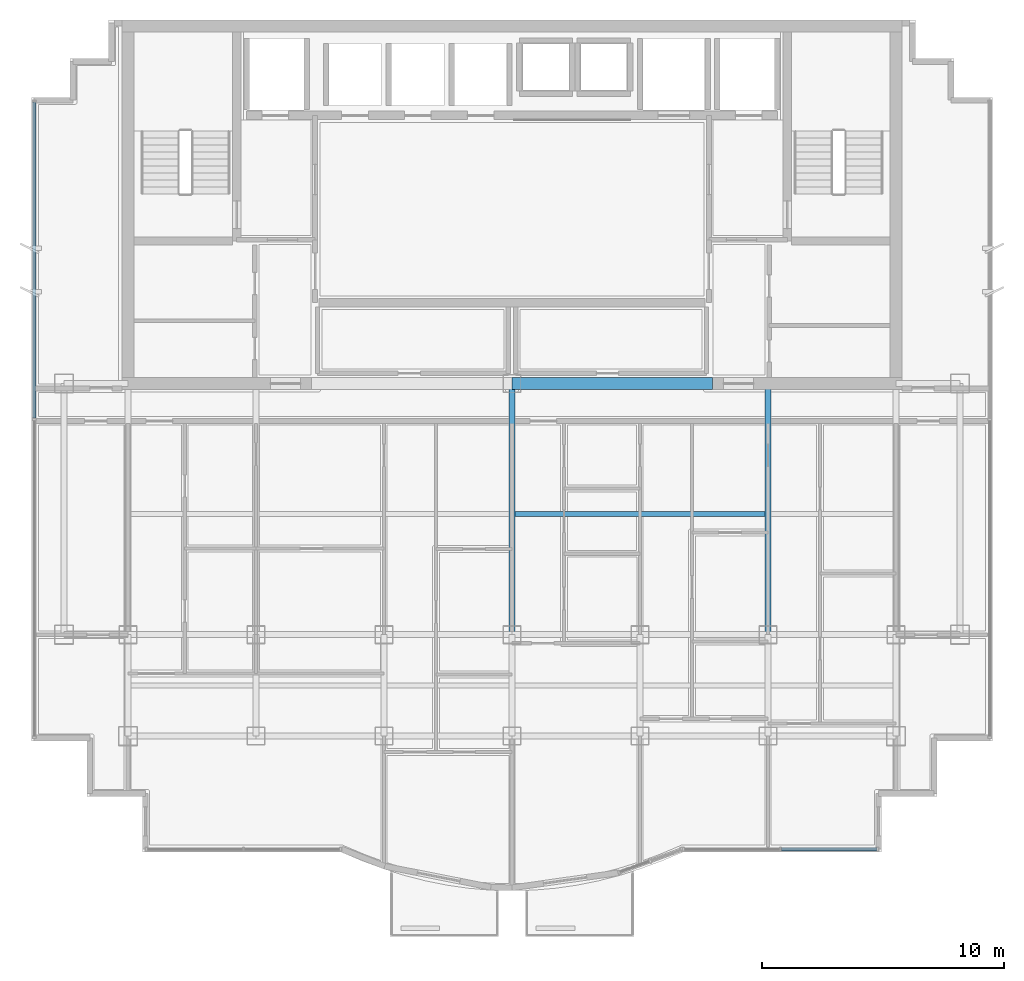
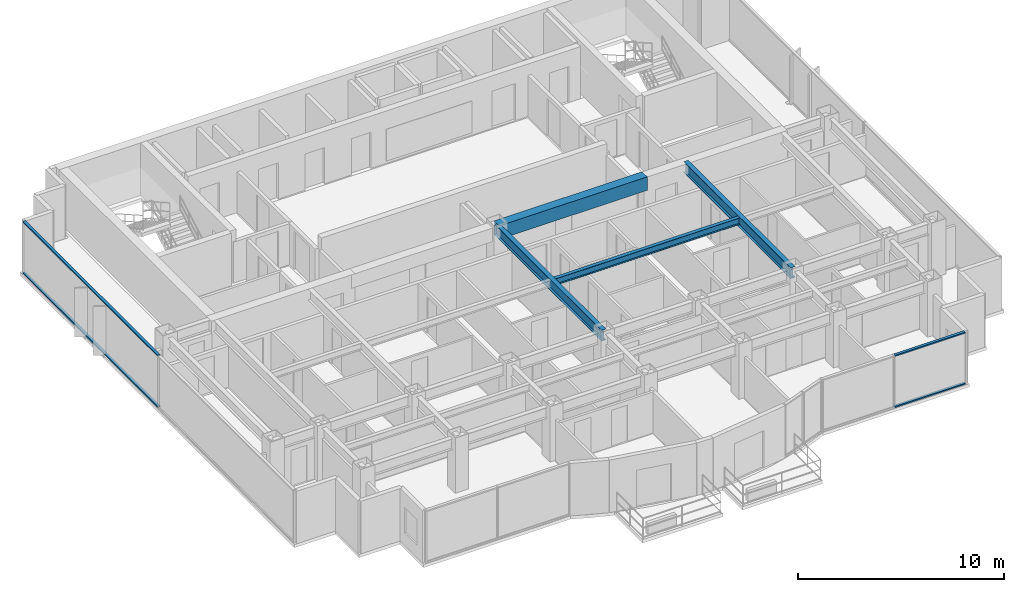
# One storey, part 3 of 12: 4 beams, 4 members, 2 elements without a shape of their own.
"""IFC4 building model written with IfcOpenShell, lengths in metres."""

from ifc_helpers import new_model, si_unit, direction, frame, origin, origin_2d, place, context, subcontext, project, spatial, rectangle, i_section, extrude, source, transform, mapped, material, layer, layer_set, material_profile, profile_set, type_object, element, aggregate, save


model = new_model("IFC4")

# Units and contexts
model_context = context("Model", 3, precision=1e-05, world=origin(), true_north=direction((0.0, 1.0)))
body_context = subcontext(model_context, "Body", "Model", "MODEL_VIEW")
ifc_project = project(units=[si_unit("LENGTHUNIT", "METRE"), si_unit("AREAUNIT", "SQUARE_METRE"), si_unit("VOLUMEUNIT", "CUBIC_METRE"), si_unit("PLANEANGLEUNIT", "RADIAN"), si_unit("MASSUNIT", "GRAM", prefix="KILO")], contexts=[model_context])

# Site, building, storey
site_placement = place(None, origin())
site = spatial("IfcSite", under=ifc_project, at=site_placement, CompositionType="ELEMENT")
building_placement = place(site_placement, origin())
building = spatial("IfcBuilding", under=site, at=building_placement, Name="Qianlan Lanfeng Residences", CompositionType="ELEMENT")
storey_placement = place(building_placement, frame((0.0, 0.0, 216.5)))
storey = spatial("IfcBuildingStorey", under=building, at=storey_placement, Name="L59", CompositionType="ELEMENT", Elevation=216.5)

# Beams
ifc_material_1 = material(Name="Steel SN490B", Category="steel")
ifc_material_profile_1 = material_profile(ifc_material_1, i_section(OverallWidth=0.25, OverallDepth=0.64990234375, WebThickness=0.012939453125, FlangeThickness=0.02197265625, at=origin_2d()), Name="H 650x250x13x22")
ifc_profile_set_1 = profile_set([ifc_material_profile_1], Name="Steel SN490B")
beam_type_1 = type_object("IfcBeamType", Name="G-650", PredefinedType="BEAM", material=ifc_profile_set_1)
for number, where, z_axis, x_axis, name in (
    (1, (26.5, 14.800048828125, 2.784912109375), (0.0, 1.0, 0.0), (-1.0, 0.0, 0.0), "Structural beam G-650"),
    (2, (37.10009765625, 14.800048828125, 2.784912109375), (0.0, 1.0, 0.0), (-1.0, 0.0, 0.0), "Structural beam G-650"),
):
    element("IfcBeam", number, at=place(storey_placement, frame(where, z_axis=z_axis, x_axis=x_axis)), inside=storey, type_object=beam_type_1, Name=name, PredefinedType="BEAM", context=body_context, shape_type="SweptSolid", body=[
        extrude(i_section(OverallWidth=0.25, OverallDepth=0.64990234375, WebThickness=0.012939453125, FlangeThickness=0.02197265625, at=origin_2d()), origin(), (0.0, 0.0, 1.0), 10.39990234375),
    ])
ifc_material_profile_2 = material_profile(ifc_material_1, i_section(OverallWidth=0.199951171875, OverallDepth=0.39990234375, WebThickness=0.008056640625, FlangeThickness=0.012939453125, at=origin_2d()), Name="H 400x200x8x13")
ifc_profile_set_2 = profile_set([ifc_material_profile_2], Name="Steel SN490B")
beam_type_2 = type_object("IfcBeamType", Name="J-400", PredefinedType="JOIST", material=ifc_profile_set_2)
beam_1_placement = place(storey_placement, frame((26.625, 19.800048828125, 2.909912109375), z_axis=(1.0, 0.0, 0.0), x_axis=(0.0, 1.0, 0.0)))
element("IfcBeam", 3, at=beam_1_placement, inside=storey, type_object=beam_type_2, Name="Structural beam J-400", PredefinedType="JOIST", context=body_context, shape_type="SweptSolid", body=[
    extrude(i_section(OverallWidth=0.199951171875, OverallDepth=0.39990234375, WebThickness=0.008056640625, FlangeThickness=0.012939453125, at=origin_2d()), origin(), (0.0, 0.0, 1.0), 10.35009765625),
])
ifc_material_2 = material(Name="Concrete C49", Category="concrete")
ifc_material_profile_3 = material_profile(ifc_material_2, rectangle(XDim=0.5, YDim=0.800048828125, at=origin_2d()), Name="RC 500x800")
ifc_profile_set_3 = profile_set([ifc_material_profile_3], Name="Concrete C49")
beam_type_3 = type_object("IfcBeamType", Name="LB-RC750", PredefinedType="BEAM", material=ifc_profile_set_3)
beam_2_placement = place(storey_placement, frame((26.5, 25.199951171875, 2.7099609375), z_axis=(1.0, 0.0, 0.0), x_axis=(0.0, 1.0, 0.0)))
element("IfcBeam", 4, at=beam_2_placement, inside=storey, type_object=beam_type_3, Name="L59 Core Coupling Beam E", PredefinedType="BEAM", context=body_context, shape_type="SweptSolid", body=[
    extrude(rectangle(XDim=0.5, YDim=0.800048828125, at=origin_2d()), origin(), (0.0, 0.0, 1.0), 8.300048828125),
])

# Curtain wall, members
ifc_material_3 = material(Name="Anodised Bronze Aluminium 6063-T6", Category="aluminium")
ifc_layer = layer(ifc_material_3, 0.219970703125)
ifc_layer_set = layer_set([ifc_layer], Name="Anodised Bronze Aluminium 6063-T6")
curtain_wall_type = type_object("IfcCurtainWallType", Name="CW-05", PredefinedType="NOTDEFINED", material=ifc_layer_set)
curtain_wall_1_placement = place(storey_placement, origin())
curtain_wall_1 = element("IfcCurtainWall", 5, at=curtain_wall_1_placement, inside=storey, type_object=curtain_wall_type, Name="L59 Unitised Curtain Wall CWR-L59-03 (CW-05)", PredefinedType="NOTDEFINED")
ifc_material_profile_4 = material_profile(ifc_material_3, rectangle(XDim=0.074951171875, YDim=0.14990234375, at=origin_2d()), Name="ALU TRANSOM 75x150")
ifc_profile_set_4 = profile_set([ifc_material_profile_4], Name="Anodised Bronze Aluminium 6063-T6")
member_type = type_object("IfcMemberType", Name="CWT-150", PredefinedType="USERDEFINED", material=ifc_profile_set_4)
shared_shape_1 = source(origin(), body_context, "Body", "SweptSolid", [
    extrude(rectangle(XDim=0.074951171875, YDim=0.14990234375, at=origin_2d()), origin(), (0.0, 0.0, 1.0), 3.949462890625),
])
member_1_placement = place(storey_placement, frame((37.655517578125, 5.919921875, 0.03759765625), z_axis=(1.0, 0.0, 0.0), x_axis=(0.0, 0.0, 1.0)))
member_1 = element("IfcMember", 6, at=member_1_placement, type_object=member_type, Name="CWR-L59-03 Transom 2-BOT", ObjectType="TRANSOM", PredefinedType="USERDEFINED", context=body_context, shape_type="MappedRepresentation", body=[
    mapped(shared_shape_1, transform((0.0, 0.0, 0.0), scale=1.0)),
])
member_2_placement = place(storey_placement, frame((37.655517578125, 5.919921875, 3.072509765625), z_axis=(1.0, 0.0, 0.0), x_axis=(0.0, 0.0, 1.0)))
member_2 = element("IfcMember", 7, at=member_2_placement, type_object=member_type, Name="CWR-L59-03 Transom 2-TOP", ObjectType="TRANSOM", PredefinedType="USERDEFINED", context=body_context, shape_type="MappedRepresentation", body=[
    mapped(shared_shape_1, transform((0.0, 0.0, 0.0), scale=1.0)),
])
aggregate(curtain_wall_1, [member_1, member_2])

curtain_wall_2_placement = place(storey_placement, origin())
curtain_wall_2 = element("IfcCurtainWall", 8, at=curtain_wall_2_placement, inside=storey, type_object=curtain_wall_type, Name="L59 Unitised Curtain Wall CWR-L59-05 (CW-05)", PredefinedType="NOTDEFINED")
shared_shape_2 = source(origin(), body_context, "Body", "SweptSolid", [
    extrude(rectangle(XDim=0.074951171875, YDim=0.14990234375, at=origin_2d()), origin(), (0.0, 0.0, 1.0), 13.092529296875),
])
member_3_placement = place(storey_placement, frame((6.719970703125, 36.85498046875, 0.03759765625), z_axis=(0.0, -1.0, 0.0), x_axis=(0.0, 0.0, 1.0)))
member_3 = element("IfcMember", 9, at=member_3_placement, type_object=member_type, Name="CWR-L59-05 Transom 1-BOT", ObjectType="TRANSOM", PredefinedType="USERDEFINED", context=body_context, shape_type="MappedRepresentation", body=[
    mapped(shared_shape_2, transform((0.0, 0.0, 0.0), scale=1.0)),
])
member_4_placement = place(storey_placement, frame((6.719970703125, 36.85498046875, 3.072509765625), z_axis=(0.0, -1.0, 0.0), x_axis=(0.0, 0.0, 1.0)))
member_4 = element("IfcMember", 10, at=member_4_placement, type_object=member_type, Name="CWR-L59-05 Transom 1-TOP", ObjectType="TRANSOM", PredefinedType="USERDEFINED", context=body_context, shape_type="MappedRepresentation", body=[
    mapped(shared_shape_2, transform((0.0, 0.0, 0.0), scale=1.0)),
])
aggregate(curtain_wall_2, [member_3, member_4])

save(model, "model.ifc")
